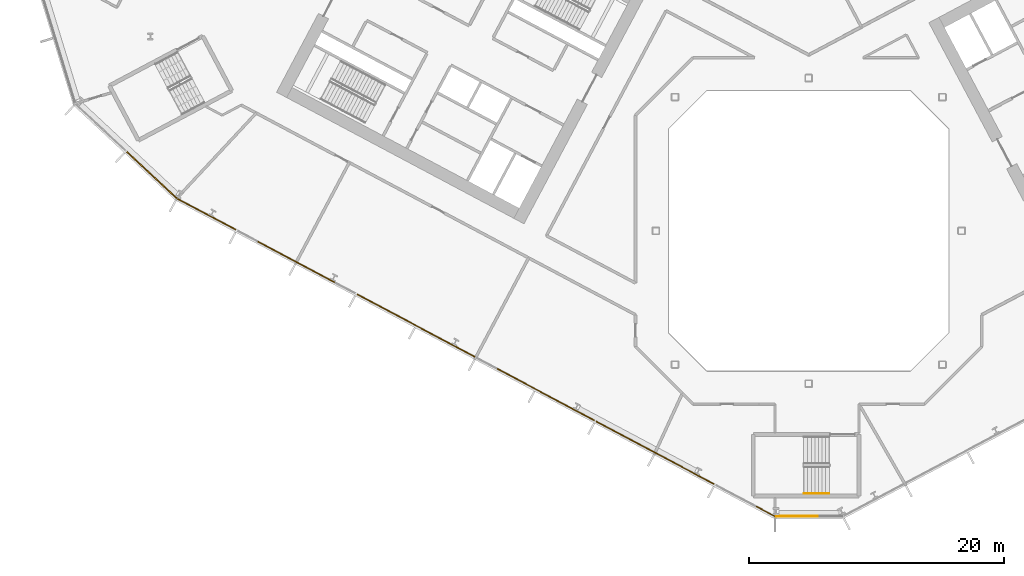
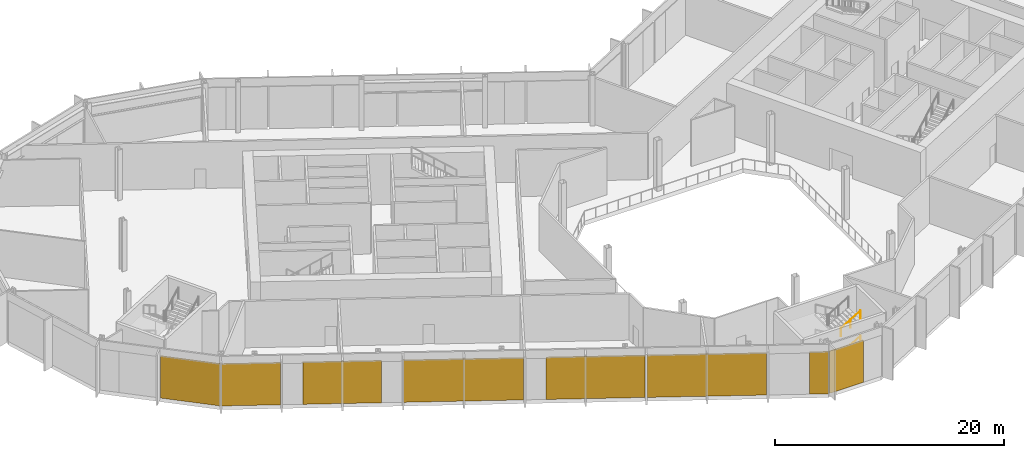
# One storey, part 20 of 32: 8 coverings, 2 railings, 3 elements without a shape of their own.
"""IFC4 building model written with IfcOpenShell, lengths in metres."""

from ifc_helpers import new_model, si_unit, direction, frame, origin, origin_2d, place, context, subcontext, project, spatial, polyline, rectangle, outline, extrude, material, layer, layer_set, type_object, element, aggregate, save


model = new_model("IFC4")

# Units and contexts
model_context = context("Model", 3, precision=1e-05, world=origin(), true_north=direction((0.0, 1.0)))
body_context = subcontext(model_context, "Body", "Model", "MODEL_VIEW")
ifc_project = project(units=[si_unit("LENGTHUNIT", "METRE"), si_unit("AREAUNIT", "SQUARE_METRE"), si_unit("VOLUMEUNIT", "CUBIC_METRE"), si_unit("PLANEANGLEUNIT", "RADIAN"), si_unit("MASSUNIT", "GRAM", prefix="KILO")], contexts=[model_context])

# Site, building, storey
site_placement = place(None, origin())
site = spatial("IfcSite", under=ifc_project, at=site_placement, CompositionType="ELEMENT")
building_placement = place(site_placement, origin())
building = spatial("IfcBuilding", under=site, at=building_placement, Name="Cormorant Relay Tower", CompositionType="ELEMENT")
storey_placement = place(building_placement, frame((0.0, 0.0, 39.199951171875)))
storey = spatial("IfcBuildingStorey", under=building, at=storey_placement, Name="L07", CompositionType="ELEMENT", Elevation=39.199951171875)

# Curtain wall, covering
ifc_material_1 = material(Name="Aluminium 6063-T6 anodised bronze", Category="aluminium")
ifc_layer_1 = layer(ifc_material_1, 0.235107421875)
ifc_layer_set_1 = layer_set([ifc_layer_1], Name="CW6 data hall curtain wall with mineral wool panels")
curtain_wall_type = type_object("IfcCurtainWallType", Name="CW6 data hall curtain wall with mineral wool panels", PredefinedType="NOTDEFINED", material=ifc_layer_set_1)
curtain_wall_1_placement = place(storey_placement, origin())
curtain_wall_1 = element("IfcCurtainWall", 1, at=curtain_wall_1_placement, inside=storey, type_object=curtain_wall_type, Name="CW6 curtain wall 1", PredefinedType="NOTDEFINED")
ifc_material_2 = material(Name="Mineral wool cored anodised bronze aluminium cassette panel", Category="aluminium")
ifc_layer_2 = layer(ifc_material_2, 0.074951171875)
ifc_layer_set_2 = layer_set([ifc_layer_2], Name="CW6 mineral wool cassette panel 75")
covering_type = type_object("IfcCoveringType", Name="CW6 mineral wool cassette panel 75", PredefinedType="CLADDING", material=ifc_layer_set_2)
covering_1_placement = place(storey_placement, frame((-0.862548828125, -22.4130859375, 0.0), z_axis=(0.0, 0.0, 1.0), x_axis=(1.0, 0.0, 0.0)))
covering_1 = element("IfcCovering", 2, at=covering_1_placement, type_object=covering_type, Name="CW6 panel S00", PredefinedType="CLADDING", context=body_context, shape_type="SweptSolid", body=[
    extrude(rectangle(XDim=3.422607421875, YDim=0.074951171875, at=origin_2d()), origin(), (0.0, 0.0, 1.0), 4.5),
])
aggregate(curtain_wall_1, [covering_1])

curtain_wall_2_placement = place(storey_placement, origin())
curtain_wall_2 = element("IfcCurtainWall", 3, at=curtain_wall_2_placement, inside=storey, type_object=curtain_wall_type, Name="CW6 curtain wall 13", PredefinedType="NOTDEFINED")
covering_2_placement = place(storey_placement, frame((-51.5771484375, 4.384765625, 0.0), z_axis=(0.0, 0.0, 1.0), x_axis=(0.731353701619, -0.681998360062, 0.0)))
covering_2 = element("IfcCovering", 4, at=covering_2_placement, type_object=covering_type, Name="CW6 panel S02", PredefinedType="CLADDING", context=body_context, shape_type="SweptSolid", body=[
    extrude(rectangle(XDim=5.360107421875, YDim=0.074951171875, at=origin_2d()), origin(), (0.0, 0.0, 1.0), 4.5),
])
aggregate(curtain_wall_2, [covering_2])

# Curtain wall, coverings
curtain_wall_3_placement = place(storey_placement, origin())
curtain_wall_3 = element("IfcCurtainWall", 5, at=curtain_wall_3_placement, inside=storey, type_object=curtain_wall_type, Name="CW6 curtain wall 14", PredefinedType="NOTDEFINED")
covering_3_placement = place(storey_placement, frame((-47.261962890625, 1.30322265625, 0.0), z_axis=(0.0, 0.0, 1.0), x_axis=(0.882947592859, -0.469471562786, 0.0)))
covering_3 = element("IfcCovering", 6, at=covering_3_placement, type_object=covering_type, Name="CW6 panel S00", PredefinedType="CLADDING", context=body_context, shape_type="SweptSolid", body=[
    extrude(rectangle(XDim=5.16650390625, YDim=0.074951171875, at=origin_2d()), origin(), (0.0, 0.0, 1.0), 4.5),
])
covering_4_placement = place(storey_placement, frame((-40.220703125, -2.44091796875, 0.0), z_axis=(0.0, 0.0, 1.0), x_axis=(0.882947592859, -0.469471562786, 0.0)))
covering_4 = element("IfcCovering", 7, at=covering_4_placement, type_object=covering_type, Name="CW6 panel S02", PredefinedType="CLADDING", context=body_context, shape_type="SweptSolid", body=[
    extrude(rectangle(XDim=6.88330078125, YDim=0.074951171875, at=origin_2d()), origin(), (0.0, 0.0, 1.0), 4.5),
])
covering_5_placement = place(storey_placement, frame((-30.83203125, -7.4326171875, 0.0), z_axis=(0.0, 0.0, 1.0), x_axis=(0.882947592859, -0.469471562786, 0.0)))
covering_5 = element("IfcCovering", 8, at=covering_5_placement, type_object=covering_type, Name="CW6 panel S04", PredefinedType="CLADDING", context=body_context, shape_type="SweptSolid", body=[
    extrude(rectangle(XDim=10.483154296875, YDim=0.074951171875, at=origin_2d()), origin(), (0.0, 0.0, 1.0), 4.5),
])
covering_6_placement = place(storey_placement, frame((-20.64892578125, -12.84716796875, 0.0), z_axis=(0.0, 0.0, 1.0), x_axis=(0.882947592859, -0.469471562786, 0.0)))
covering_6 = element("IfcCovering", 9, at=covering_6_placement, type_object=covering_type, Name="CW6 panel S06", PredefinedType="CLADDING", context=body_context, shape_type="SweptSolid", body=[
    extrude(rectangle(XDim=8.68310546875, YDim=0.074951171875, at=origin_2d()), origin(), (0.0, 0.0, 1.0), 4.5),
])
covering_7_placement = place(storey_placement, frame((-12.054931640625, -17.416748046875, 0.0), z_axis=(0.0, 0.0, 1.0), x_axis=(0.882947592859, -0.469471562786, 0.0)))
covering_7 = element("IfcCovering", 10, at=covering_7_placement, type_object=covering_type, Name="CW6 panel S07", PredefinedType="CLADDING", context=body_context, shape_type="SweptSolid", body=[
    extrude(rectangle(XDim=10.483154296875, YDim=0.074951171875, at=origin_2d()), origin(), (0.0, 0.0, 1.0), 4.5),
])
covering_8_placement = place(storey_placement, frame((-3.39111328125, -22.023193359375, 0.0), z_axis=(0.0, 0.0, 1.0), x_axis=(0.882947592859, -0.469471562786, 0.0)))
covering_8 = element("IfcCovering", 11, at=covering_8_placement, type_object=covering_type, Name="CW6 panel S09", PredefinedType="CLADDING", context=body_context, shape_type="SweptSolid", body=[
    extrude(rectangle(XDim=1.6416015625, YDim=0.074951171875, at=origin_2d()), origin(), (0.0, 0.0, 1.0), 4.5),
])
aggregate(curtain_wall_3, [covering_3, covering_4, covering_5, covering_6, covering_7, covering_8])

# Railings
ifc_material_3 = material(Name="Steel ASTM A572 Grade 50 (Fy 345 MPa)", Category="steel")
railing_type = type_object("IfcRailingType", Name="Stair handrail 900", PredefinedType="HANDRAIL", material=ifc_material_3)
railing_1_placement = place(storey_placement, frame((-0.360107421875, -20.625, 1.518798828125)))
element("IfcRailing", 12, at=railing_1_placement, inside=storey, type_object=railing_type, Name="L07 RK1 stair handrail 2", PredefinedType="HANDRAIL", context=body_context, shape_type="SweptSolid", body=[
    extrude(outline(polyline([(0.022216796875, 0.00927734375), (0.00927734375, 0.022216796875), (-0.00927734375, 0.022216796875), (-0.022216796875, 0.00927734375), (-0.022216796875, -0.00927734375), (-0.00927734375, -0.022216796875), (0.00927734375, -0.022216796875), (0.022216796875, -0.00927734375), (0.022216796875, 0.00927734375)])), frame((0.0, 0.0, 0.8759765625), z_axis=(0.856521883693, 0.0, 0.516110707847), x_axis=(0.0, 1.0, 0.0)), (0.0, 0.0, 1.0), 2.28857421875),
    extrude(outline(polyline([(0.019287109375, 0.008056640625), (0.008056640625, 0.019287109375), (-0.008056640625, 0.019287109375), (-0.019287109375, 0.008056640625), (-0.019287109375, -0.008056640625), (-0.008056640625, -0.019287109375), (0.008056640625, -0.019287109375), (0.019287109375, -0.008056640625), (0.019287109375, 0.008056640625)])), origin(), (0.0, 0.0, 1.0), 0.851806640625),
    extrude(outline(polyline([(0.019287109375, 0.008056640625), (0.008056640625, 0.019287109375), (-0.008056640625, 0.019287109375), (-0.019287109375, 0.008056640625), (-0.019287109375, -0.008056640625), (-0.008056640625, -0.019287109375), (0.008056640625, -0.019287109375), (0.019287109375, -0.008056640625), (0.019287109375, 0.008056640625)])), frame((0.97998046875, 0.0, 0.590576171875)), (0.0, 0.0, 1.0), 0.851806640625),
    extrude(outline(polyline([(0.019287109375, 0.008056640625), (0.008056640625, 0.019287109375), (-0.008056640625, 0.019287109375), (-0.019287109375, 0.008056640625), (-0.019287109375, -0.008056640625), (-0.008056640625, -0.019287109375), (0.008056640625, -0.019287109375), (0.019287109375, -0.008056640625), (0.019287109375, 0.008056640625)])), frame((1.960205078125, 0.0, 1.18115234375)), (0.0, 0.0, 1.0), 0.851806640625),
])
railing_2_placement = place(storey_placement, frame((-0.360107421875, -20.625, 4.21875)))
element("IfcRailing", 13, at=railing_2_placement, inside=storey, type_object=railing_type, Name="L07 RK1 stair handrail 4", PredefinedType="HANDRAIL", context=body_context, shape_type="SweptSolid", body=[
    extrude(outline(polyline([(0.022216796875, 0.00927734375), (0.00927734375, 0.022216796875), (-0.00927734375, 0.022216796875), (-0.022216796875, 0.00927734375), (-0.022216796875, -0.00927734375), (-0.00927734375, -0.022216796875), (0.00927734375, -0.022216796875), (0.022216796875, -0.00927734375), (0.022216796875, 0.00927734375)])), frame((0.0, 0.0, 0.8759765625), z_axis=(0.856474724393, 0.0, 0.516188963923), x_axis=(0.0, 1.0, 0.0)), (0.0, 0.0, 1.0), 2.28857421875),
    extrude(outline(polyline([(0.019287109375, 0.008056640625), (0.008056640625, 0.019287109375), (-0.008056640625, 0.019287109375), (-0.019287109375, 0.008056640625), (-0.019287109375, -0.008056640625), (-0.008056640625, -0.019287109375), (0.008056640625, -0.019287109375), (0.019287109375, -0.008056640625), (0.019287109375, 0.008056640625)])), origin(), (0.0, 0.0, 1.0), 0.851806640625),
    extrude(outline(polyline([(0.019287109375, 0.008056640625), (0.008056640625, 0.019287109375), (-0.008056640625, 0.019287109375), (-0.019287109375, 0.008056640625), (-0.019287109375, -0.008056640625), (-0.008056640625, -0.019287109375), (0.008056640625, -0.019287109375), (0.019287109375, -0.008056640625), (0.019287109375, 0.008056640625)])), frame((0.97998046875, 0.0, 0.5908203125)), (0.0, 0.0, 1.0), 0.851806640625),
    extrude(outline(polyline([(0.019287109375, 0.008056640625), (0.008056640625, 0.019287109375), (-0.008056640625, 0.019287109375), (-0.019287109375, 0.008056640625), (-0.019287109375, -0.008056640625), (-0.008056640625, -0.019287109375), (0.008056640625, -0.019287109375), (0.019287109375, -0.008056640625), (0.019287109375, 0.008056640625)])), frame((1.960205078125, 0.0, 1.181396484375)), (0.0, 0.0, 1.0), 0.851806640625),
])

save(model, "model.ifc")
